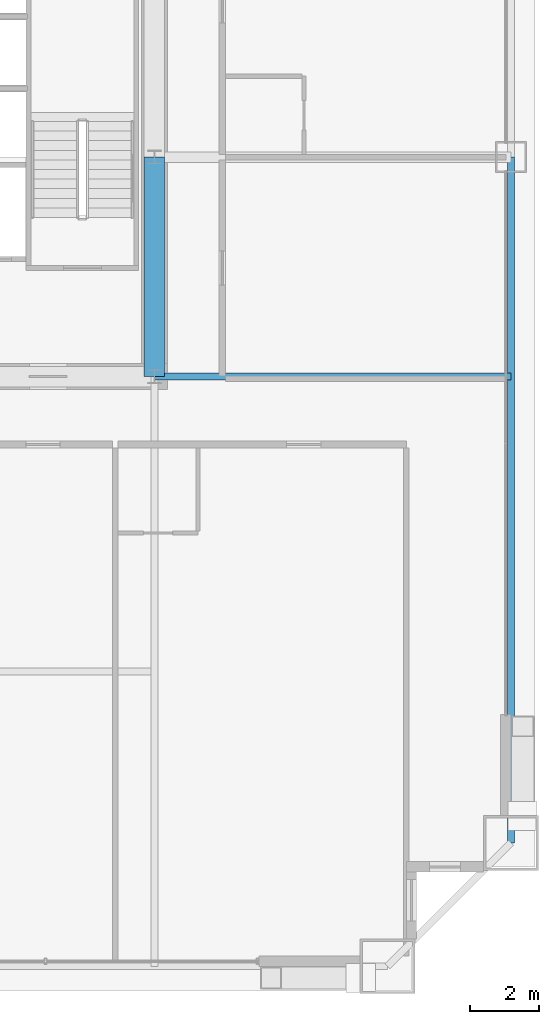
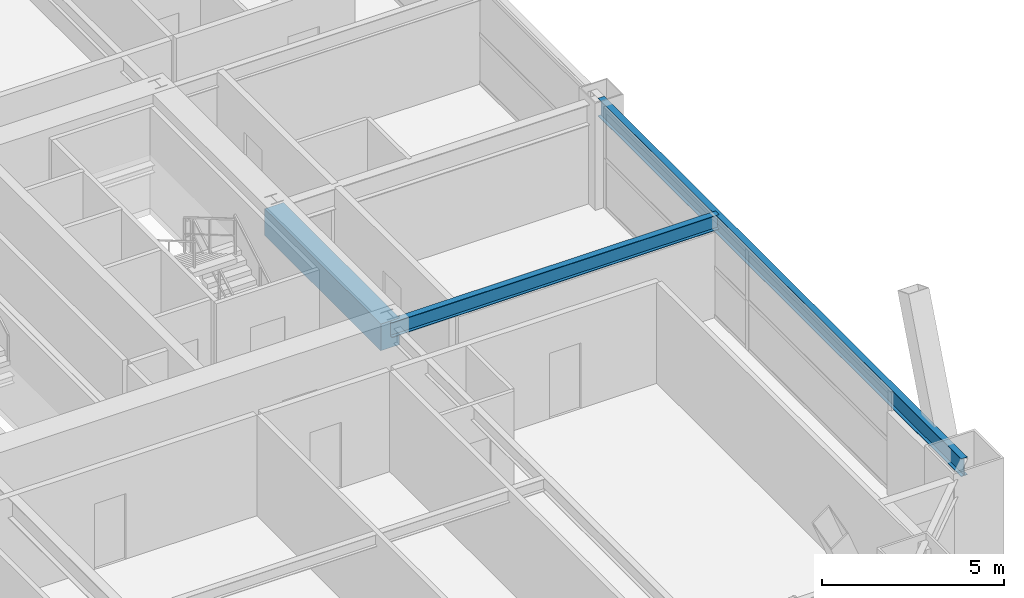
# One storey, part 18 of 41: 3 beams.
"""IFC4 building model written with IfcOpenShell, lengths in metres."""

from ifc_helpers import new_model, si_unit, direction, frame, origin, origin_2d, place, context, subcontext, project, spatial, rectangle, i_section, extrude, source, transform, mapped, material, material_profile, profile_set, type_object, element, save


model = new_model("IFC4")

# Units and contexts
model_context = context("Model", 3, precision=1e-05, world=origin(), true_north=direction((0.0, 1.0)))
body_context = subcontext(model_context, "Body", "Model", "MODEL_VIEW")
ifc_project = project(units=[si_unit("LENGTHUNIT", "METRE"), si_unit("AREAUNIT", "SQUARE_METRE"), si_unit("VOLUMEUNIT", "CUBIC_METRE"), si_unit("PLANEANGLEUNIT", "RADIAN"), si_unit("MASSUNIT", "GRAM", prefix="KILO"), si_unit("THERMODYNAMICTEMPERATUREUNIT", "KELVIN"), si_unit("POWERUNIT", "WATT")], contexts=[model_context])

# Site, building, storey
site_placement = place(None, origin())
site = spatial("IfcSite", under=ifc_project, at=site_placement, CompositionType="ELEMENT")
building_placement = place(site_placement, origin())
building = spatial("IfcBuilding", under=site, at=building_placement, Name="Yuzanri Waterfront Tower", CompositionType="ELEMENT")
storey_placement = place(building_placement, frame((0.0, 0.0, 152.39990234375)))
storey = spatial("IfcBuildingStorey", under=building, at=storey_placement, Name="L40", CompositionType="ELEMENT", Elevation=152.39990234375)

# Beams
ifc_material_1 = material(Name="Concrete C60", Category="concrete")
ifc_material_profile_1 = material_profile(ifc_material_1, rectangle(XDim=0.60009765625, YDim=0.89990234375, at=origin_2d()), Name="RC 600x900")
ifc_profile_set_1 = profile_set([ifc_material_profile_1], Name="Concrete C60")
beam_type_1 = type_object("IfcBeamType", Name="Core Coupling Lintel Concrete C60 600x900", PredefinedType="LINTEL", material=ifc_profile_set_1)
shared_shape_1 = source(origin(), body_context, "Body", "SweptSolid", [
    extrude(rectangle(XDim=0.60009765625, YDim=0.89990234375, at=origin_2d()), origin(), (0.0, 0.0, 1.0), 6.400146484375),
])
beam_1_placement = place(storey_placement, frame((50.199951171875, 19.39990234375, 2.93017578125), z_axis=(0.0, 1.0, 0.0), x_axis=(-1.0, 0.0, 0.0)))
element("IfcBeam", 1, at=beam_1_placement, inside=storey, type_object=beam_type_1, Name="L40 Core Tie Beam CE1", PredefinedType="LINTEL", context=body_context, shape_type="MappedRepresentation", body=[
    mapped(shared_shape_1, transform((0.0, 0.0, 0.0), scale=1.0)),
])
ifc_material_2 = material(Name="Steel Q355B", Category="steel")
ifc_material_profile_2 = material_profile(ifc_material_2, i_section(OverallWidth=0.199951171875, OverallDepth=0.60009765625, WebThickness=0.010986328125, FlangeThickness=0.01708984375, at=origin_2d()), Name="HN 600x200x11x17")
ifc_profile_set_2 = profile_set([ifc_material_profile_2], Name="Steel Q355B")
beam_type_2 = type_object("IfcBeamType", Name="Perimeter Spandrel Q355B HN 600x200", PredefinedType="SPANDREL", material=ifc_profile_set_2)
shared_shape_2 = source(origin(), body_context, "Body", "SweptSolid", [
    extrude(i_section(OverallWidth=0.199951171875, OverallDepth=0.60009765625, WebThickness=0.010986328125, FlangeThickness=0.01708984375, at=origin_2d()), origin(), (0.0, 0.0, 1.0), 20.0),
])
beam_2_placement = place(storey_placement, frame((60.60009765625, 5.800048828125, 3.080078125), z_axis=(0.0, 1.0, 0.0), x_axis=(-1.0, 0.0, 0.0)))
element("IfcBeam", 2, at=beam_2_placement, inside=storey, type_object=beam_type_2, Name="L40 Perimeter Spandrel E1-E2", PredefinedType="SPANDREL", context=body_context, shape_type="MappedRepresentation", body=[
    mapped(shared_shape_2, transform((0.0, 0.0, 0.0), scale=1.0)),
])
ifc_material_3 = material(Name="Steel Q355B", Category="steel")
ifc_material_profile_3 = material_profile(ifc_material_3, i_section(OverallWidth=0.199951171875, OverallDepth=0.5, WebThickness=0.010009765625, FlangeThickness=0.01611328125, at=origin_2d()), Name="HN 500x200x10x16")
ifc_profile_set_3 = profile_set([ifc_material_profile_3], Name="Steel Q355B")
beam_type_3 = type_object("IfcBeamType", Name="Secondary Floor Beam Q355B HN 500x200", PredefinedType="BEAM", material=ifc_profile_set_3)
shared_shape_3 = source(origin(), body_context, "Body", "SweptSolid", [
    extrude(i_section(OverallWidth=0.199951171875, OverallDepth=0.5, WebThickness=0.010009765625, FlangeThickness=0.01611328125, at=origin_2d()), origin(), (0.0, 0.0, 1.0), 10.400146484375),
])
beam_3_placement = place(storey_placement, frame((50.199951171875, 19.39990234375, 3.130126953125), z_axis=(1.0, 0.0, 0.0), x_axis=(0.0, 1.0, 0.0)))
element("IfcBeam", 3, at=beam_3_placement, inside=storey, type_object=beam_type_3, Name="L40 East-South Core Line Beam", PredefinedType="BEAM", context=body_context, shape_type="MappedRepresentation", body=[
    mapped(shared_shape_3, transform((0.0, 0.0, 0.0), scale=1.0)),
])

save(model, "model.ifc")
